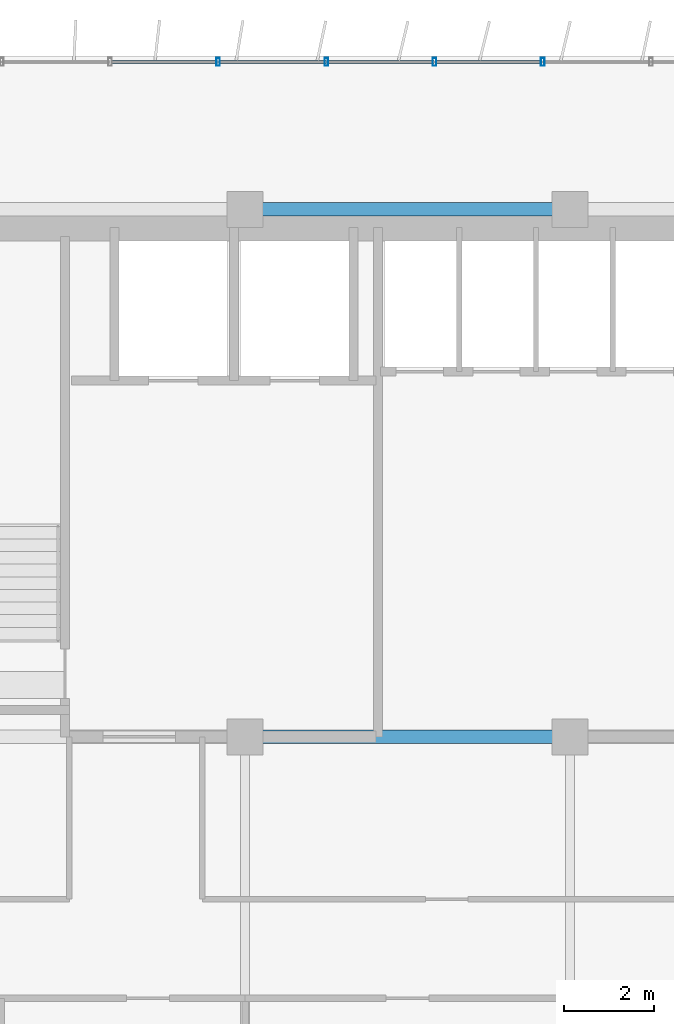
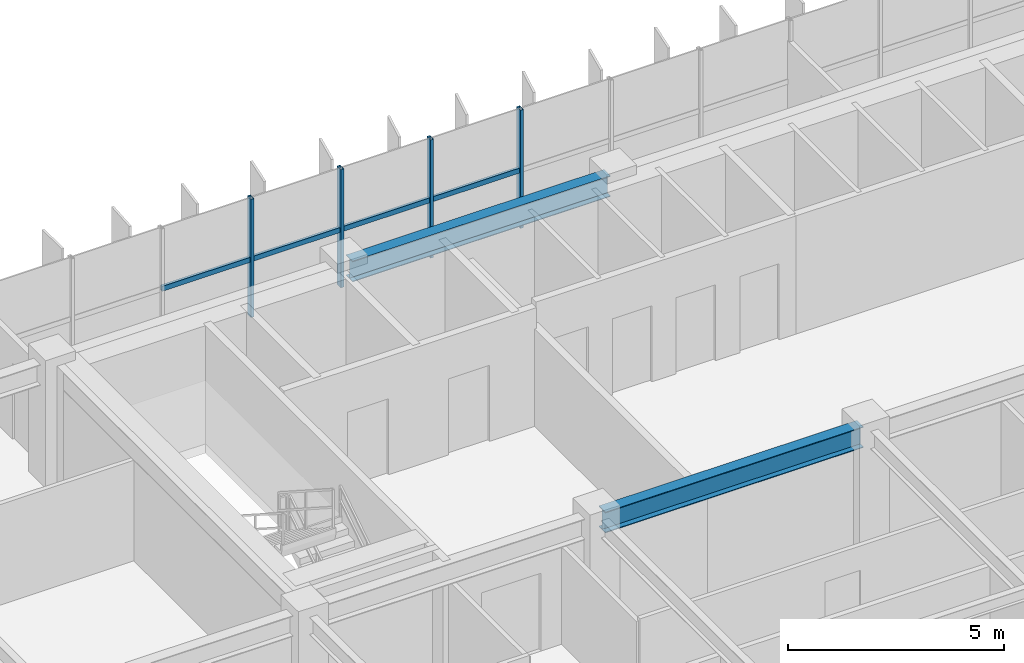
# One storey, part 10 of 26: 8 members, 2 beams, 1 element without a shape of its own.
"""IFC4 building model written with IfcOpenShell, lengths in metres."""

import ifcopenshell
import ifcopenshell.guid

model = None  # the IFC model being written
_history = None  # IfcOwnerHistory: only IFC2X3 demands one
_inside = {}  # id of a spatial element -> (the spatial element, [elements in it])
_under = {}  # id of a project, library or spatial element -> (it, [spatial elements below it])
_declared = {}  # id of a project -> (the project, [libraries it declares])
_typed = {}  # id of a type object -> (the type object, [elements of that type])
_made_of = {}  # id of a material, layer set ... -> (it, [elements and type objects made of it])


def new_model(schema):
    """Start an empty IFC model of exactly this schema.

    Asked for "IFC4X3", IfcOpenShell would pick the latest addendum, in which some entities
    have other attributes; the version numbers below select the first issue.
    IFC2X3 requires an IfcOwnerHistory on every rooted entity: one is made here for all.
    """
    global model, _history
    if schema == "IFC4X3":
        model = ifcopenshell.file(schema_version=(4, 3, 0, 0))
    else:
        model = ifcopenshell.file(schema=schema)
    _inside.clear()
    _under.clear()
    _declared.clear()
    _typed.clear()
    _made_of.clear()
    _history = None
    if model.schema == "IFC2X3":
        org = make("IfcOrganization", Name="unknown")
        user = make(
            "IfcPersonAndOrganization",
            ThePerson=make("IfcPerson", FamilyName="unknown"),
            TheOrganization=org,
        )
        app = make(
            "IfcApplication",
            ApplicationDeveloper=org,
            Version="unknown",
            ApplicationFullName="unknown",
            ApplicationIdentifier="unknown",
        )
        _history = make(
            "IfcOwnerHistory",
            OwningUser=user,
            OwningApplication=app,
            ChangeAction="ADDED",
            CreationDate=0,
        )
    return model


def make(cls, **values):
    """One entity of the class cls with the attributes given. An attribute that is None is left unset."""
    return model.create_entity(
        cls, **{name: value for name, value in values.items() if value is not None}
    )


def rooted(cls, **values):
    """An entity with a GlobalId (a new one), such as an element, a storey or a relation."""
    return make(cls, GlobalId=ifcopenshell.guid.new(), OwnerHistory=_history, **values)


def si_unit(unit_type, name, prefix=None):
    """IfcSIUnit, for example si_unit("LENGTHUNIT", "METRE", prefix="MILLI")."""
    return make("IfcSIUnit", UnitType=unit_type, Prefix=prefix, Name=name)


def assignment(units):
    """IfcUnitAssignment: the units of a project."""
    return None if units is None else make("IfcUnitAssignment", Units=units)


def point(xyz):
    """IfcCartesianPoint."""
    return None if xyz is None else make("IfcCartesianPoint", Coordinates=xyz)


def direction(xyz):
    """IfcDirection."""
    return None if xyz is None else make("IfcDirection", DirectionRatios=xyz)


def frame(location, z_axis=None, x_axis=None):
    """IfcAxis2Placement3D, a coordinate frame: its origin and axes. An axis left out is left unset."""
    return make(
        "IfcAxis2Placement3D",
        Location=point(location),
        Axis=direction(z_axis),
        RefDirection=direction(x_axis),
    )


def frame_2d(location, x_axis=None):
    """IfcAxis2Placement2D, a coordinate frame in the plane: its origin and x axis."""
    return make(
        "IfcAxis2Placement2D", Location=point(location), RefDirection=direction(x_axis)
    )


def origin():
    """The frame at (0, 0, 0) with its axes left unset."""
    return frame((0.0, 0.0, 0.0))


def origin_2d():
    """The frame at (0, 0) in the plane with its x axis left unset."""
    return frame_2d((0.0, 0.0))


def place(relative_to, where):
    """IfcLocalPlacement: puts the frame where relative to a parent placement (None: the world)."""
    return make(
        "IfcLocalPlacement", PlacementRelTo=relative_to, RelativePlacement=where
    )


def context(
    kind, dimensions, precision=None, world=None, true_north=None, identifier=None
):
    """IfcGeometricRepresentationContext, for example the 3D "Model" context."""
    return make(
        "IfcGeometricRepresentationContext",
        ContextIdentifier=identifier,
        ContextType=kind,
        CoordinateSpaceDimension=dimensions,
        Precision=precision,
        WorldCoordinateSystem=world,
        TrueNorth=true_north,
    )


def subcontext(parent, identifier, kind, view, scale=None):
    """IfcGeometricRepresentationSubContext, for example "Body" below "Model"."""
    return make(
        "IfcGeometricRepresentationSubContext",
        ContextIdentifier=identifier,
        ContextType=kind,
        ParentContext=parent,
        TargetScale=scale,
        TargetView=view,
    )


def project(units=None, contexts=None):
    """IfcProject with its units and contexts."""
    return rooted(
        "IfcProject",
        Name="project",
        RepresentationContexts=contexts,
        UnitsInContext=assignment(units),
    )


def spatial(cls, under=None, at=None, **own):
    """A site, building, storey or space (cls), placed at a placement, below another one or the project."""
    s = rooted(cls, ObjectPlacement=at, **own)
    if under is not None:
        _under.setdefault(under.id(), (under, []))[1].append(s)
    return s


def profile(cls, at=None, kind="AREA", **sizes):
    """A parametric profile (cls). Its sizes go by their IFC names, for example OverallWidth=200.0."""
    return make(cls, ProfileType=kind, Position=at, **sizes)


def hollow_rectangle(**sizes):
    """IfcRectangleHollowProfileDef."""
    return profile("IfcRectangleHollowProfileDef", **sizes)


def i_section(**sizes):
    """IfcIShapeProfileDef."""
    return profile("IfcIShapeProfileDef", **sizes)


def extrude(swept, where, along, depth):
    """IfcExtrudedAreaSolid: the profile swept, set in the frame where, extruded along a direction by depth."""
    return make(
        "IfcExtrudedAreaSolid",
        SweptArea=swept,
        Position=where,
        ExtrudedDirection=direction(along),
        Depth=depth,
    )


def shape(context_of_items, identifier, shape_type, items):
    """IfcShapeRepresentation: the items that make up one representation, for example the "Body"."""
    return make(
        "IfcShapeRepresentation",
        ContextOfItems=context_of_items,
        RepresentationIdentifier=identifier,
        RepresentationType=shape_type,
        Items=items,
    )


def source(mapping_origin, context_of_items, identifier, shape_type, items):
    """IfcRepresentationMap: a shape defined once, which mapped items show again and again."""
    return make(
        "IfcRepresentationMap",
        MappingOrigin=mapping_origin,
        MappedRepresentation=shape(context_of_items, identifier, shape_type, items),
    )


def transform(
    local_origin,
    x_axis=None,
    y_axis=None,
    z_axis=None,
    scale=None,
    scale2=None,
    scale3=None,
    uniform=True,
):
    """IfcCartesianTransformationOperator3D, or its non-uniform kind. x_axis, y_axis, z_axis: its Axis1, 2, 3."""
    if uniform:
        return make(
            "IfcCartesianTransformationOperator3D",
            Axis1=direction(x_axis),
            Axis2=direction(y_axis),
            LocalOrigin=point(local_origin),
            Scale=scale,
            Axis3=direction(z_axis),
        )
    return make(
        "IfcCartesianTransformationOperator3DnonUniform",
        Axis1=direction(x_axis),
        Axis2=direction(y_axis),
        LocalOrigin=point(local_origin),
        Scale=scale,
        Axis3=direction(z_axis),
        Scale2=scale2,
        Scale3=scale3,
    )


def mapped(mapping_source, mapping_target):
    """IfcMappedItem: shows the shape of a source again, moved by a transform."""
    return make(
        "IfcMappedItem", MappingSource=mapping_source, MappingTarget=mapping_target
    )


def material(Name=None, Category=None):
    """IfcMaterial."""
    return make("IfcMaterial", Name=Name, Category=Category)


def material_profile(
    of_material, cross_section, Name=None, Category=None, Priority=None
):
    """IfcMaterialProfile: a cross section and its material."""
    return make(
        "IfcMaterialProfile",
        Name=Name,
        Material=of_material,
        Profile=cross_section,
        Priority=Priority,
        Category=Category,
    )


def profile_set(profiles, Name=None, composite=None):
    """IfcMaterialProfileSet."""
    return make(
        "IfcMaterialProfileSet",
        Name=Name,
        MaterialProfiles=profiles,
        CompositeProfile=composite,
    )


def made_of(thing, what):
    """Note that an element or type object is made of a material, layer set ...; save() writes the relation."""
    if what is not None:
        _made_of.setdefault(what.id(), (what, []))[1].append(thing)
    return thing


def type_object(cls, material=None, **own):
    """A type object (cls), such as IfcWallType, which elements share."""
    return made_of(rooted(cls, **own), material)


def element(
    cls,
    number,
    at=None,
    inside=None,
    cuts=None,
    type_object=None,
    material=None,
    context=None,
    identifier="Body",
    shape_type=None,
    held_by="IfcProductDefinitionShape",
    body=None,
    shapes=None,
    **own,
):
    """One element of the class cls, such as IfcWall. Its Tag is "e" and its number.

    at: its placement. inside: the storey or other place that contains it. cuts: it is an
    opening in that element (IfcRelVoidsElement). A single representation is given by context,
    identifier, shape_type and body (its items); several are given by shapes. held_by: the class
    of the entity that holds the representations. save() writes the other relations.
    """
    e = rooted(cls, Tag="e%d" % number, ObjectPlacement=at, **own)
    if body is not None:
        shapes = [shape(context, identifier, shape_type, body)]
    if shapes is not None:
        e.Representation = make(held_by, Representations=shapes)
    if inside is not None:
        _inside.setdefault(inside.id(), (inside, []))[1].append(e)
    if cuts is not None:
        rooted(
            "IfcRelVoidsElement", RelatingBuildingElement=cuts, RelatedOpeningElement=e
        )
    if type_object is not None:
        _typed.setdefault(type_object.id(), (type_object, []))[1].append(e)
    return made_of(e, material)


def aggregate(whole, parts):
    """IfcRelAggregates: a whole, such as a stair, and the parts it consists of."""
    return rooted("IfcRelAggregates", RelatingObject=whole, RelatedObjects=parts)


def save(model, path):
    """Write the relations noted so far, then the file.

    IfcRelAggregates (storeys below a building ...), IfcRelContainedInSpatialStructure (elements
    in a storey), IfcRelDefinesByType, IfcRelAssociatesMaterial and IfcRelDeclares: one each for
    every whole, place, type object, material and project.
    """
    for whole, parts in _under.values():
        aggregate(whole, parts)
    for where, things in _inside.values():
        rooted(
            "IfcRelContainedInSpatialStructure",
            RelatedElements=things,
            RelatingStructure=where,
        )
    for kind, things in _typed.values():
        rooted("IfcRelDefinesByType", RelatedObjects=things, RelatingType=kind)
    for what, things in _made_of.values():
        rooted("IfcRelAssociatesMaterial", RelatedObjects=things, RelatingMaterial=what)
    for by, libraries in _declared.values():
        rooted("IfcRelDeclares", RelatingContext=by, RelatedDefinitions=libraries)
    model.write(path)


model = new_model("IFC4")

# Units and contexts
model_context = context("Model", 3, precision=1e-05, world=origin(), true_north=direction((0.0, 1.0)))
body_context = subcontext(model_context, "Body", "Model", "MODEL_VIEW")
ifc_project = project(units=[si_unit("LENGTHUNIT", "METRE"), si_unit("AREAUNIT", "SQUARE_METRE"), si_unit("VOLUMEUNIT", "CUBIC_METRE"), si_unit("PLANEANGLEUNIT", "RADIAN"), si_unit("MASSUNIT", "GRAM", prefix="KILO")], contexts=[model_context])

# Site, building, storey
site_placement = place(None, origin())
site = spatial("IfcSite", under=ifc_project, at=site_placement, CompositionType="ELEMENT")
building_placement = place(site_placement, origin())
building = spatial("IfcBuilding", under=site, at=building_placement, Name="Trelvane Seafront Commons", CompositionType="ELEMENT")
storey_placement = place(building_placement, frame((0.0, 0.0, 124.89990234375)))
storey = spatial("IfcBuildingStorey", under=building, at=storey_placement, Name="L32", CompositionType="ELEMENT", Elevation=124.89990234375)

# Beams
ifc_material_1 = material(Name="Steel SM355 (S355)", Category="steel")
ifc_material_profile_1 = material_profile(ifc_material_1, i_section(OverallWidth=0.300048828125, OverallDepth=0.587890625, WebThickness=0.011962890625, FlangeThickness=0.02001953125, at=origin_2d()), Name="H-588x300x12x20")
ifc_profile_set_1 = profile_set([ifc_material_profile_1], Name="Steel SM355 (S355)")
beam_type = type_object("IfcBeamType", Name="STR-BM-H588", PredefinedType="BEAM", material=ifc_profile_set_1)
shared_shape_1 = source(origin(), body_context, "Body", "SweptSolid", [
    extrude(i_section(OverallWidth=0.300048828125, OverallDepth=0.587890625, WebThickness=0.011962890625, FlangeThickness=0.02001953125, at=origin_2d()), origin(), (0.0, 0.0, 1.0), 6.89990234375),
])
for number, where, z_axis, x_axis, name in (
    (1, (23.550048828125, 33.39990234375, 3.046142578125), (1.0, 0.0, 0.0), (0.0, 1.0, 0.0), "L32 Primary Girder G-22"),
    (2, (23.550048828125, 45.10009765625, 3.046142578125), (1.0, 0.0, 0.0), (0.0, 1.0, 0.0), "L32 Primary Girder G-31"),
):
    element("IfcBeam", number, at=place(storey_placement, frame(where, z_axis=z_axis, x_axis=x_axis)), inside=storey, type_object=beam_type, Name=name, PredefinedType="BEAM", context=body_context, shape_type="MappedRepresentation", body=[
        mapped(shared_shape_1, transform((0.0, 0.0, 0.0), x_axis=(1.0, 0.0, 0.0), y_axis=(0.0, 1.0, 0.0), z_axis=(0.0, 0.0, 1.0), scale=1.0)),
    ])

# Curtain wall, members
ifc_material_2 = material(Name="Anodised pale-silver aluminium", Category="aluminium")
curtain_wall_type = type_object("IfcCurtainWallType", Name="ARCH-CW4-SKYLOBBY", PredefinedType="NOTDEFINED", material=ifc_material_2)
curtain_wall_placement = place(storey_placement, origin())
curtain_wall = element("IfcCurtainWall", 3, at=curtain_wall_placement, inside=storey, type_object=curtain_wall_type, Name="CW-L32-0057", PredefinedType="NOTDEFINED")
ifc_material_profile_2 = material_profile(ifc_material_2, hollow_rectangle(XDim=0.074951171875, YDim=0.139892578125, WallThickness=0.00390625, at=origin_2d()), Name="TRAN-75x140x4")
ifc_profile_set_2 = profile_set([ifc_material_profile_2], Name="Anodised pale-silver aluminium")
member_type_1 = type_object("IfcMemberType", Name="ARCH-CW-TRAN-140", PredefinedType="USERDEFINED", material=ifc_profile_set_2)
shared_shape_2 = source(origin(), body_context, "Body", "SweptSolid", [
    extrude(hollow_rectangle(XDim=0.074951171875, YDim=0.139892578125, WallThickness=0.00390625, at=origin_2d()), origin(), (0.0, 0.0, 1.0), 2.3759765625),
])
member_1_placement = place(storey_placement, frame((20.412109375, 48.3701171875, 1.60302734375), z_axis=(1.0, 0.0, 0.0), x_axis=(0.0, 1.0, 0.0)))
member_1 = element("IfcMember", 4, at=member_1_placement, type_object=member_type_1, Name="CW-L32-0057-T02", ObjectType="TRANSOM", PredefinedType="USERDEFINED", context=body_context, shape_type="MappedRepresentation", body=[
    mapped(shared_shape_2, transform((0.0, 0.0, 0.0), x_axis=(1.0, 0.0, 0.0), y_axis=(0.0, 1.0, 0.0), z_axis=(0.0, 0.0, 1.0), scale=1.0)),
])
member_2_placement = place(storey_placement, frame((22.81201171875, 48.3701171875, 1.60302734375), z_axis=(1.0, 0.0, 0.0), x_axis=(0.0, 1.0, 0.0)))
member_2 = element("IfcMember", 5, at=member_2_placement, type_object=member_type_1, Name="CW-L32-0057-T03", ObjectType="TRANSOM", PredefinedType="USERDEFINED", context=body_context, shape_type="MappedRepresentation", body=[
    mapped(shared_shape_2, transform((0.0, 0.0, 0.0), x_axis=(1.0, 0.0, 0.0), y_axis=(0.0, 1.0, 0.0), z_axis=(0.0, 0.0, 1.0), scale=1.0)),
])
member_3_placement = place(storey_placement, frame((25.2119140625, 48.3701171875, 1.60302734375), z_axis=(1.0, 0.0, 0.0), x_axis=(0.0, 1.0, 0.0)))
member_3 = element("IfcMember", 6, at=member_3_placement, type_object=member_type_1, Name="CW-L32-0057-T04", ObjectType="TRANSOM", PredefinedType="USERDEFINED", context=body_context, shape_type="MappedRepresentation", body=[
    mapped(shared_shape_2, transform((0.0, 0.0, 0.0), x_axis=(1.0, 0.0, 0.0), y_axis=(0.0, 1.0, 0.0), z_axis=(0.0, 0.0, 1.0), scale=1.0)),
])
member_4_placement = place(storey_placement, frame((27.612060546875, 48.3701171875, 1.60302734375), z_axis=(1.0, 0.0, 0.0), x_axis=(0.0, 1.0, 0.0)))
member_4 = element("IfcMember", 7, at=member_4_placement, type_object=member_type_1, Name="CW-L32-0057-T05", ObjectType="TRANSOM", PredefinedType="USERDEFINED", context=body_context, shape_type="MappedRepresentation", body=[
    mapped(shared_shape_2, transform((0.0, 0.0, 0.0), x_axis=(1.0, 0.0, 0.0), y_axis=(0.0, 1.0, 0.0), z_axis=(0.0, 0.0, 1.0), scale=1.0)),
])
ifc_material_profile_3 = material_profile(ifc_material_2, hollow_rectangle(XDim=0.080078125, YDim=0.179931640625, WallThickness=0.00439453125, at=origin_2d()), Name="MULL-80x180x4.5")
ifc_profile_set_3 = profile_set([ifc_material_profile_3], Name="Anodised pale-silver aluminium")
member_type_2 = type_object("IfcMemberType", Name="ARCH-CW-MULL-180", PredefinedType="MULLION", material=ifc_profile_set_3)
shared_shape_3 = source(origin(), body_context, "Body", "SweptSolid", [
    extrude(hollow_rectangle(XDim=0.080078125, YDim=0.179931640625, WallThickness=0.00439453125, at=origin_2d()), origin(), (0.0, 0.0, 1.0), 3.340087890625),
])
member_5_placement = place(storey_placement, frame((22.800048828125, 48.3701171875, 0.0), z_axis=(0.0, 0.0, 1.0), x_axis=(1.0, 0.0, 0.0)))
member_5 = element("IfcMember", 8, at=member_5_placement, type_object=member_type_2, Name="CW-L32-0057-M03", PredefinedType="MULLION", context=body_context, shape_type="MappedRepresentation", body=[
    mapped(shared_shape_3, transform((0.0, 0.0, 0.0), x_axis=(1.0, 0.0, 0.0), y_axis=(0.0, 1.0, 0.0), z_axis=(0.0, 0.0, 1.0), scale=1.0)),
])
member_6_placement = place(storey_placement, frame((25.199951171875, 48.3701171875, 0.0), z_axis=(0.0, 0.0, 1.0), x_axis=(1.0, 0.0, 0.0)))
member_6 = element("IfcMember", 9, at=member_6_placement, type_object=member_type_2, Name="CW-L32-0057-M04", PredefinedType="MULLION", context=body_context, shape_type="MappedRepresentation", body=[
    mapped(shared_shape_3, transform((0.0, 0.0, 0.0), x_axis=(1.0, 0.0, 0.0), y_axis=(0.0, 1.0, 0.0), z_axis=(0.0, 0.0, 1.0), scale=1.0)),
])
member_7_placement = place(storey_placement, frame((27.60009765625, 48.3701171875, 0.0), z_axis=(0.0, 0.0, 1.0), x_axis=(1.0, 0.0, 0.0)))
member_7 = element("IfcMember", 10, at=member_7_placement, type_object=member_type_2, Name="CW-L32-0057-M05", PredefinedType="MULLION", context=body_context, shape_type="MappedRepresentation", body=[
    mapped(shared_shape_3, transform((0.0, 0.0, 0.0), x_axis=(1.0, 0.0, 0.0), y_axis=(0.0, 1.0, 0.0), z_axis=(0.0, 0.0, 1.0), scale=1.0)),
])
member_8_placement = place(storey_placement, frame((30.0, 48.3701171875, 0.0), z_axis=(0.0, 0.0, 1.0), x_axis=(1.0, 0.0, 0.0)))
member_8 = element("IfcMember", 11, at=member_8_placement, type_object=member_type_2, Name="CW-L32-0057-M06", PredefinedType="MULLION", context=body_context, shape_type="MappedRepresentation", body=[
    mapped(shared_shape_3, transform((0.0, 0.0, 0.0), x_axis=(1.0, 0.0, 0.0), y_axis=(0.0, 1.0, 0.0), z_axis=(0.0, 0.0, 1.0), scale=1.0)),
])
aggregate(curtain_wall, [member_5, member_6, member_7, member_8, member_1, member_2, member_3, member_4])

save(model, "model.ifc")
